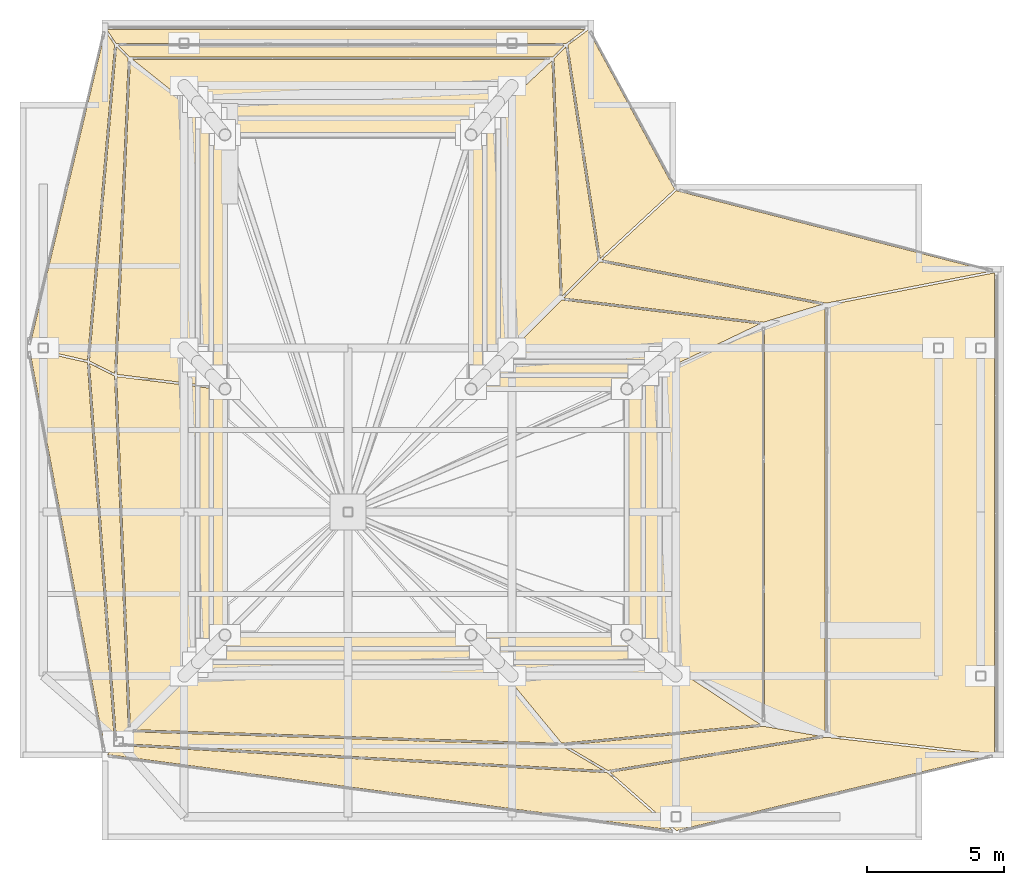
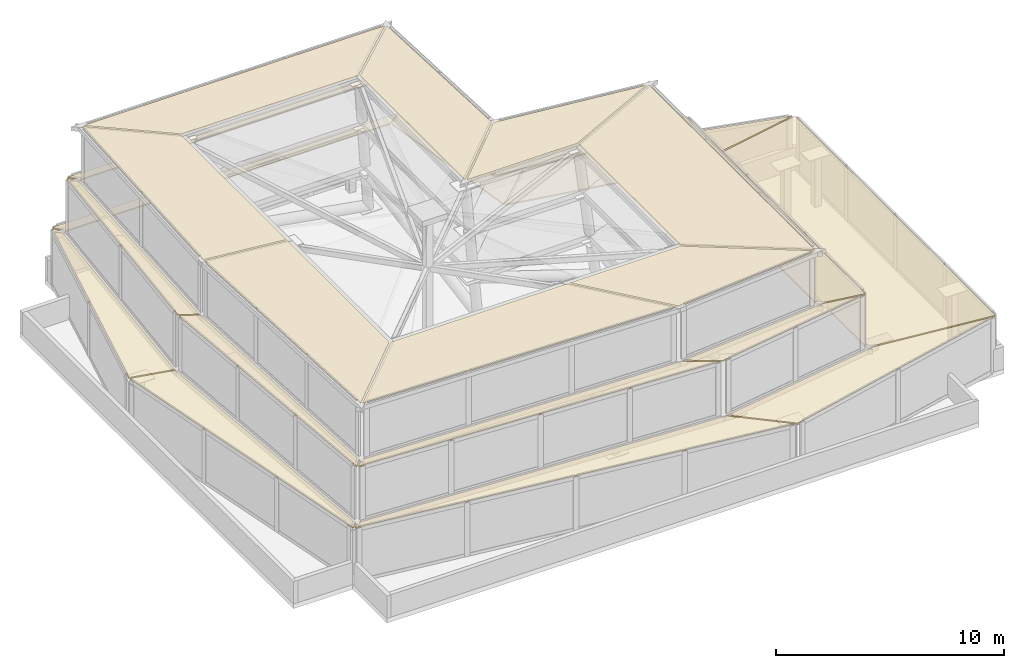
# One storey, part 15 of 15: 24 coverings.
"""IFC4 building model written with IfcOpenShell, lengths in metres."""

from ifc_helpers import new_model, si_unit, direction, frame, origin, place, context, subcontext, project, spatial, polyline, outline, extrude, material, layer, layer_set, type_object, element, save


model = new_model("IFC4")

# Units and contexts
model_context = context("Model", 3, precision=1e-05, world=origin(), true_north=direction((0.0, 1.0)))
body_context = subcontext(model_context, "Body", "Model", "MODEL_VIEW")
ifc_project = project(units=[si_unit("LENGTHUNIT", "METRE"), si_unit("AREAUNIT", "SQUARE_METRE"), si_unit("VOLUMEUNIT", "CUBIC_METRE"), si_unit("PLANEANGLEUNIT", "RADIAN"), si_unit("MASSUNIT", "GRAM", prefix="KILO"), si_unit("THERMODYNAMICTEMPERATUREUNIT", "KELVIN"), si_unit("POWERUNIT", "WATT")], contexts=[model_context])

# Site, building, storey
site_placement = place(None, origin())
site = spatial("IfcSite", under=ifc_project, at=site_placement, CompositionType="ELEMENT")
building_placement = place(site_placement, origin())
building = spatial("IfcBuilding", under=site, at=building_placement, Name="Svarakhadi Broadcast Tower", CompositionType="ELEMENT")
storey_placement = place(building_placement, frame((0.0, 0.0, 310.5)))
storey = spatial("IfcBuildingStorey", under=building, at=storey_placement, Name="RF", CompositionType="ELEMENT", Elevation=310.5)

# Coverings
ifc_material = material(Name="Anodised Bronze Aluminium AA 6063-T6", Category="aluminium")
ifc_layer = layer(ifc_material, 0.070068359375)
ifc_layer_set = layer_set([ifc_layer], Name="Anodised Bronze Aluminium AA 6063-T6")
covering_type = type_object("IfcCoveringType", Name="Cladding_CrownStep_CL02", PredefinedType="CLADDING", material=ifc_layer_set)
covering_1_placement = place(storey_placement, frame((0.0, 0.0, 2.8349609375)))
element("IfcCovering", 1, at=covering_1_placement, inside=storey, type_object=covering_type, Name="Crown Tier 1 Stepped Ledge Bronze Cladding Panel 1", PredefinedType="CLADDING", context=body_context, shape_type="SweptSolid", body=[
    extrude(outline(polyline([(3.185546875, 3.12890625), (3.515625, 3.458984375), (21.48388671875, 2.460693359375), (23.87451171875, 0.357177734375), (3.185546875, 3.12890625)])), origin(), (0.0, 0.0, 1.0), 0.070068359375),
])
covering_2_placement = place(storey_placement, frame((0.0, 0.0, 2.8349609375)))
element("IfcCovering", 2, at=covering_2_placement, inside=storey, type_object=covering_type, Name="Crown Tier 1 Stepped Ledge Bronze Cladding Panel 2", PredefinedType="CLADDING", context=body_context, shape_type="SweptSolid", body=[
    extrude(outline(polyline([(24.010986328125, 0.34375), (21.590087890625, 2.47412109375), (29.5009765625, 3.759521484375), (35.468994140625, 3.085693359375), (24.010986328125, 0.34375)])), origin(), (0.0, 0.0, 1.0), 0.070068359375),
])
covering_3_placement = place(storey_placement, frame((0.0, 0.0, 2.8349609375)))
element("IfcCovering", 3, at=covering_3_placement, inside=storey, type_object=covering_type, Name="Crown Tier 1 Stepped Ledge Bronze Cladding Panel 3", PredefinedType="CLADDING", context=body_context, shape_type="SweptSolid", body=[
    extrude(outline(polyline([(35.659912109375, 3.144775390625), (29.5400390625, 3.835693359375), (29.5400390625, 19.56689453125), (35.659912109375, 20.75146484375), (35.659912109375, 3.144775390625)])), origin(), (0.0, 0.0, 1.0), 0.070068359375),
])
covering_4_placement = place(storey_placement, frame((0.0, 0.0, 2.8349609375)))
element("IfcCovering", 4, at=covering_4_placement, inside=storey, type_object=covering_type, Name="Crown Tier 1 Stepped Ledge Bronze Cladding Panel 4", PredefinedType="CLADDING", context=body_context, shape_type="SweptSolid", body=[
    extrude(outline(polyline([(35.517578125, 20.805419921875), (29.5, 19.640625), (21.284912109375, 21.224365234375), (24.01123046875, 23.755859375), (35.517578125, 20.805419921875)])), origin(), (0.0, 0.0, 1.0), 0.070068359375),
])
covering_5_placement = place(storey_placement, frame((0.0, 0.0, 2.8349609375)))
element("IfcCovering", 5, at=covering_5_placement, inside=storey, type_object=covering_type, Name="Crown Tier 1 Stepped Ledge Bronze Cladding Panel 5", PredefinedType="CLADDING", context=body_context, shape_type="SweptSolid", body=[
    extrude(outline(polyline([(23.949951171875, 23.80810546875), (21.228271484375, 21.28076171875), (20.043212890625, 29.08251953125), (20.786865234375, 29.64013671875), (23.949951171875, 23.80810546875)])), origin(), (0.0, 0.0, 1.0), 0.070068359375),
])
covering_6_placement = place(storey_placement, frame((0.0, 0.0, 2.8349609375)))
element("IfcCovering", 6, at=covering_6_placement, inside=storey, type_object=covering_type, Name="Crown Tier 1 Stepped Ledge Bronze Cladding Panel 6", PredefinedType="CLADDING", context=body_context, shape_type="SweptSolid", body=[
    extrude(outline(polyline([(20.679931640625, 29.659912109375), (19.98681640625, 29.139892578125), (3.521484375, 29.139892578125), (3.1748046875, 29.659912109375), (20.679931640625, 29.659912109375)])), origin(), (0.0, 0.0, 1.0), 0.070068359375),
])
covering_7_placement = place(storey_placement, frame((0.0, 0.0, 2.8349609375)))
element("IfcCovering", 7, at=covering_7_placement, inside=storey, type_object=covering_type, Name="Crown Tier 1 Stepped Ledge Bronze Cladding Panel 7", PredefinedType="CLADDING", context=body_context, shape_type="SweptSolid", body=[
    extrude(outline(polyline([(3.11767578125, 29.6015625), (3.458984375, 29.089599609375), (2.464111328125, 17.54931640625), (0.348388671875, 18.030029296875), (3.11767578125, 29.6015625)])), origin(), (0.0, 0.0, 1.0), 0.070068359375),
])
covering_8_placement = place(storey_placement, frame((0.0, 0.0, 2.8349609375)))
element("IfcCovering", 8, at=covering_8_placement, inside=storey, type_object=covering_type, Name="Crown Tier 1 Stepped Ledge Bronze Cladding Panel 8", PredefinedType="CLADDING", context=body_context, shape_type="SweptSolid", body=[
    extrude(outline(polyline([(0.3505859375, 17.947509765625), (2.462158203125, 17.467529296875), (3.458740234375, 3.515380859375), (3.125244140625, 3.181884765625), (0.3505859375, 17.947509765625)])), origin(), (0.0, 0.0, 1.0), 0.070068359375),
])
covering_9_placement = place(storey_placement, frame((0.0, 0.0, 5.735107421875)))
element("IfcCovering", 9, at=covering_9_placement, inside=storey, type_object=covering_type, Name="Crown Tier 2 Stepped Ledge Bronze Cladding Panel 1", PredefinedType="CLADDING", context=body_context, shape_type="SweptSolid", body=[
    extrude(outline(polyline([(3.591552734375, 3.534912109375), (4.01611328125, 3.95947265625), (19.78857421875, 3.460205078125), (21.337646484375, 2.549072265625), (3.591552734375, 3.534912109375)])), origin(), (0.0, 0.0, 1.0), 0.06982421875),
])
covering_10_placement = place(storey_placement, frame((0.0, 0.0, 5.735107421875)))
element("IfcCovering", 10, at=covering_10_placement, inside=storey, type_object=covering_type, Name="Crown Tier 2 Stepped Ledge Bronze Cladding Panel 2", PredefinedType="CLADDING", context=body_context, shape_type="SweptSolid", body=[
    extrude(outline(polyline([(21.5078125, 2.541748046875), (19.9267578125, 3.4716796875), (27.198486328125, 4.15966796875), (29.2587890625, 3.80126953125), (21.5078125, 2.541748046875)])), origin(), (0.0, 0.0, 1.0), 0.06982421875),
])
covering_11_placement = place(storey_placement, frame((0.0, 0.0, 5.735107421875)))
element("IfcCovering", 11, at=covering_11_placement, inside=storey, type_object=covering_type, Name="Crown Tier 2 Stepped Ledge Bronze Cladding Panel 3", PredefinedType="CLADDING", context=body_context, shape_type="SweptSolid", body=[
    extrude(outline(polyline([(29.4599609375, 3.84765625), (27.239990234375, 4.233642578125), (27.239990234375, 18.870361328125), (29.4599609375, 19.5458984375), (29.4599609375, 3.84765625)])), origin(), (0.0, 0.0, 1.0), 0.06982421875),
])
covering_12_placement = place(storey_placement, frame((0.0, 0.0, 5.735107421875)))
element("IfcCovering", 12, at=covering_12_placement, inside=storey, type_object=covering_type, Name="Crown Tier 2 Stepped Ledge Bronze Cladding Panel 4", PredefinedType="CLADDING", context=body_context, shape_type="SweptSolid", body=[
    extrude(outline(polyline([(29.333984375, 19.59130859375), (27.1962890625, 18.940673828125), (19.886474609375, 19.829833984375), (21.21337890625, 21.15673828125), (29.333984375, 19.59130859375)])), origin(), (0.0, 0.0, 1.0), 0.06982421875),
])
covering_13_placement = place(storey_placement, frame((0.0, 0.0, 5.735107421875)))
element("IfcCovering", 13, at=covering_13_placement, inside=storey, type_object=covering_type, Name="Crown Tier 2 Stepped Ledge Bronze Cladding Panel 5", PredefinedType="CLADDING", context=body_context, shape_type="SweptSolid", body=[
    extrude(outline(polyline([(21.157470703125, 21.214111328125), (19.8369140625, 19.893310546875), (19.54052734375, 28.583984375), (19.972412109375, 29.015869140625), (21.157470703125, 21.214111328125)])), origin(), (0.0, 0.0, 1.0), 0.06982421875),
])
covering_14_placement = place(storey_placement, frame((0.0, 0.0, 5.735107421875)))
element("IfcCovering", 14, at=covering_14_placement, inside=storey, type_object=covering_type, Name="Crown Tier 2 Stepped Ledge Bronze Cladding Panel 6", PredefinedType="CLADDING", context=body_context, shape_type="SweptSolid", body=[
    extrude(outline(polyline([(19.9033203125, 29.06005859375), (19.4833984375, 28.639892578125), (4.0166015625, 28.639892578125), (3.5966796875, 29.06005859375), (19.9033203125, 29.06005859375)])), origin(), (0.0, 0.0, 1.0), 0.06982421875),
])
covering_15_placement = place(storey_placement, frame((0.0, 0.0, 5.735107421875)))
element("IfcCovering", 15, at=covering_15_placement, inside=storey, type_object=covering_type, Name="Crown Tier 2 Stepped Ledge Bronze Cladding Panel 7", PredefinedType="CLADDING", context=body_context, shape_type="SweptSolid", body=[
    extrude(outline(polyline([(3.532470703125, 29.010986328125), (3.959228515625, 28.584228515625), (3.462646484375, 17.0634765625), (2.542236328125, 17.523681640625), (3.532470703125, 29.010986328125)])), origin(), (0.0, 0.0, 1.0), 0.06982421875),
])
covering_16_placement = place(storey_placement, frame((0.0, 0.0, 5.735107421875)))
element("IfcCovering", 16, at=covering_16_placement, inside=storey, type_object=covering_type, Name="Crown Tier 2 Stepped Ledge Bronze Cladding Panel 8", PredefinedType="CLADDING", context=body_context, shape_type="SweptSolid", body=[
    extrude(outline(polyline([(2.544921875, 17.432861328125), (3.4609375, 16.974853515625), (3.95947265625, 4.015869140625), (3.53369140625, 3.590087890625), (2.544921875, 17.432861328125)])), origin(), (0.0, 0.0, 1.0), 0.06982421875),
])
covering_17_placement = place(storey_placement, frame((0.0, 0.0, 8.635009765625)))
element("IfcCovering", 17, at=covering_17_placement, inside=storey, type_object=covering_type, Name="Crown Tier 3 Stepped Ledge Bronze Cladding Panel 1", PredefinedType="CLADDING", context=body_context, shape_type="SweptSolid", body=[
    extrude(outline(polyline([(4.093505859375, 4.037109375), (7.5166015625, 7.4599609375), (16.481201171875, 7.4599609375), (19.712890625, 3.542724609375), (4.093505859375, 4.037109375)])), origin(), (0.0, 0.0, 1.0), 0.070068359375),
])
covering_18_placement = place(storey_placement, frame((0.0, 0.0, 8.635009765625)))
element("IfcCovering", 18, at=covering_18_placement, inside=storey, type_object=covering_type, Name="Crown Tier 3 Stepped Ledge Bronze Cladding Panel 2", PredefinedType="CLADDING", context=body_context, shape_type="SweptSolid", body=[
    extrude(outline(polyline([(19.8173828125, 3.541748046875), (16.5849609375, 7.4599609375), (22.18798828125, 7.4599609375), (27.083251953125, 4.22900390625), (19.8173828125, 3.541748046875)])), origin(), (0.0, 0.0, 1.0), 0.070068359375),
])
covering_19_placement = place(storey_placement, frame((0.0, 0.0, 8.635009765625)))
element("IfcCovering", 19, at=covering_19_placement, inside=storey, type_object=covering_type, Name="Crown Tier 3 Stepped Ledge Bronze Cladding Panel 3", PredefinedType="CLADDING", context=body_context, shape_type="SweptSolid", body=[
    extrude(outline(polyline([(27.159912109375, 4.2744140625), (22.239990234375, 7.521484375), (22.239990234375, 16.474853515625), (27.159912109375, 18.83642578125), (27.159912109375, 4.2744140625)])), origin(), (0.0, 0.0, 1.0), 0.070068359375),
])
covering_20_placement = place(storey_placement, frame((0.0, 0.0, 8.635009765625)))
element("IfcCovering", 20, at=covering_20_placement, inside=storey, type_object=covering_type, Name="Crown Tier 3 Stepped Ledge Bronze Cladding Panel 4", PredefinedType="CLADDING", context=body_context, shape_type="SweptSolid", body=[
    extrude(outline(polyline([(27.059326171875, 18.876708984375), (22.19091796875, 16.5400390625), (16.5966796875, 16.5400390625), (19.814453125, 19.7578125), (27.059326171875, 18.876708984375)])), origin(), (0.0, 0.0, 1.0), 0.070068359375),
])
covering_21_placement = place(storey_placement, frame((0.0, 0.0, 8.635009765625)))
element("IfcCovering", 21, at=covering_21_placement, inside=storey, type_object=covering_type, Name="Crown Tier 3 Stepped Ledge Bronze Cladding Panel 5", PredefinedType="CLADDING", context=body_context, shape_type="SweptSolid", body=[
    extrude(outline(polyline([(19.759521484375, 19.81591796875), (16.5400390625, 16.5966796875), (16.5400390625, 25.78271484375), (19.462890625, 28.5107421875), (19.759521484375, 19.81591796875)])), origin(), (0.0, 0.0, 1.0), 0.070068359375),
])
covering_22_placement = place(storey_placement, frame((0.0, 0.0, 8.635009765625)))
element("IfcCovering", 22, at=covering_22_placement, inside=storey, type_object=covering_type, Name="Crown Tier 3 Stepped Ledge Bronze Cladding Panel 6", PredefinedType="CLADDING", context=body_context, shape_type="SweptSolid", body=[
    extrude(outline(polyline([(19.3984375, 28.56005859375), (16.484130859375, 25.840087890625), (7.513916015625, 25.840087890625), (4.114013671875, 28.56005859375), (19.3984375, 28.56005859375)])), origin(), (0.0, 0.0, 1.0), 0.070068359375),
])
covering_23_placement = place(storey_placement, frame((0.0, 0.0, 8.635009765625)))
element("IfcCovering", 23, at=covering_23_placement, inside=storey, type_object=covering_type, Name="Crown Tier 3 Stepped Ledge Bronze Cladding Panel 7", PredefinedType="CLADDING", context=body_context, shape_type="SweptSolid", body=[
    extrude(outline(polyline([(4.03662109375, 28.51953125), (7.4599609375, 25.78076171875), (7.4599609375, 16.54541015625), (3.54150390625, 17.03515625), (4.03662109375, 28.51953125)])), origin(), (0.0, 0.0, 1.0), 0.070068359375),
])
covering_24_placement = place(storey_placement, frame((0.0, 0.0, 8.635009765625)))
element("IfcCovering", 24, at=covering_24_placement, inside=storey, type_object=covering_type, Name="Crown Tier 3 Stepped Ledge Bronze Cladding Panel 8", PredefinedType="CLADDING", context=body_context, shape_type="SweptSolid", body=[
    extrude(outline(polyline([(3.541748046875, 16.95458984375), (7.4599609375, 16.464599609375), (7.4599609375, 7.5166015625), (4.03662109375, 4.093017578125), (3.541748046875, 16.95458984375)])), origin(), (0.0, 0.0, 1.0), 0.070068359375),
])

save(model, "model.ifc")
